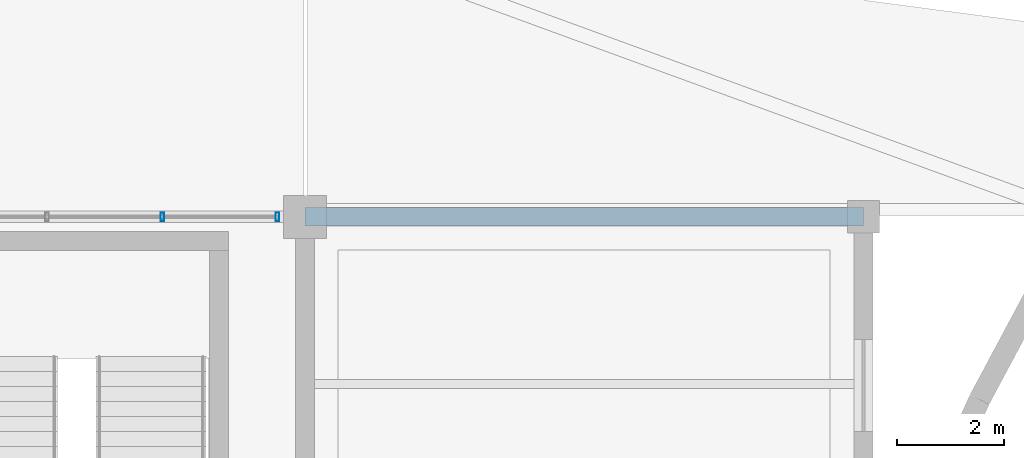
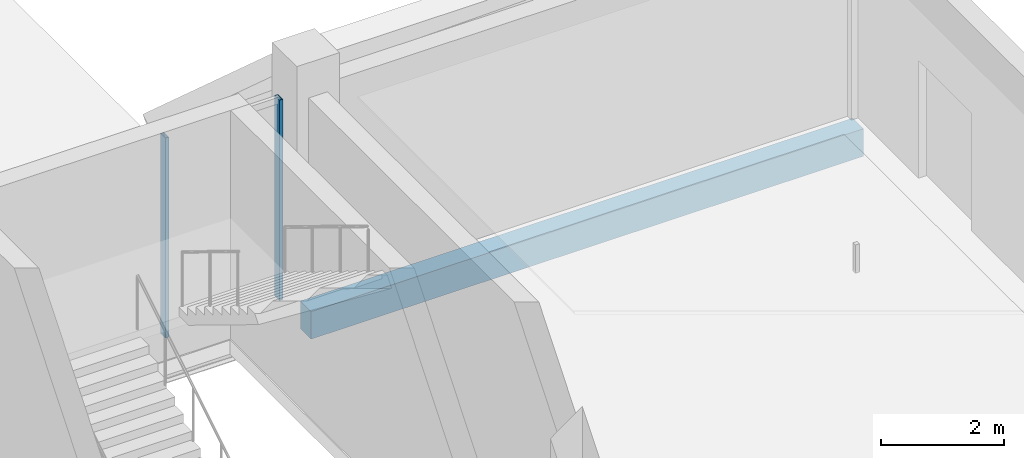
# One storey, part 63 of 116: 2 members, 1 beam, 1 element without a shape of its own.
"""IFC4 building model written with IfcOpenShell, lengths in metres."""

from ifc_helpers import new_model, si_unit, direction, frame, origin, origin_2d, place, context, subcontext, project, spatial, rectangle, hollow_rectangle, extrude, material, layer, layer_set, material_profile, profile_set, type_object, element, aggregate, save


model = new_model("IFC4")

# Units and contexts
model_context = context("Model", 3, precision=1e-05, world=origin(), true_north=direction((0.0, 1.0)))
body_context = subcontext(model_context, "Body", "Model", "MODEL_VIEW")
ifc_project = project(units=[si_unit("LENGTHUNIT", "METRE"), si_unit("AREAUNIT", "SQUARE_METRE"), si_unit("VOLUMEUNIT", "CUBIC_METRE"), si_unit("PLANEANGLEUNIT", "RADIAN"), si_unit("MASSUNIT", "GRAM", prefix="KILO")], contexts=[model_context])

# Site, building, storey
site_placement = place(None, origin())
site = spatial("IfcSite", under=ifc_project, at=site_placement, CompositionType="ELEMENT")
building_placement = place(site_placement, origin())
building = spatial("IfcBuilding", under=site, at=building_placement, Name="Chalmorin Arch Market", CompositionType="ELEMENT")
storey_placement = place(building_placement, origin())
storey = spatial("IfcBuildingStorey", under=building, at=storey_placement, Name="L00", CompositionType="ELEMENT", Elevation=0.0)

# Curtain wall, members
ifc_material_1 = material(Name="Aluminium 6063-T6", Category="aluminium")
ifc_layer = layer(ifc_material_1, 0.159912109375)
ifc_layer_set = layer_set([ifc_layer], Name="Aluminium 6063-T6")
curtain_wall_type = type_object("IfcCurtainWallType", Name="RiverfrontStorefrontCurtainWall-CW2-8580x3990", PredefinedType="NOTDEFINED", material=ifc_layer_set)
curtain_wall_placement = place(storey_placement, origin())
curtain_wall = element("IfcCurtainWall", 1, at=curtain_wall_placement, inside=storey, type_object=curtain_wall_type, Name="CW-02-023", PredefinedType="NOTDEFINED")
ifc_material_profile_1 = material_profile(ifc_material_1, hollow_rectangle(XDim=0.06494140625, YDim=0.159912109375, WallThickness=0.00390625, at=origin_2d()), Name="ALU65X160X4")
ifc_profile_set_1 = profile_set([ifc_material_profile_1], Name="Aluminium 6063-T6")
member_type = type_object("IfcMemberType", Name="CurtainWallMullion-65x160", PredefinedType="MULLION", material=ifc_profile_set_1)
member_1_placement = place(storey_placement, frame((122.14501953125, 58.800048828125, 0.0), z_axis=(0.0, 0.0, 1.0), x_axis=(1.0, 0.0, 0.0)))
member_1 = element("IfcMember", 2, at=member_1_placement, type_object=member_type, Name="ML-023-04", PredefinedType="MULLION", context=body_context, shape_type="SweptSolid", body=[
    extrude(hollow_rectangle(XDim=0.06494140625, YDim=0.159912109375, WallThickness=0.00390625, at=origin_2d()), origin(), (0.0, 0.0, 1.0), 3.986083984375),
])
member_2_placement = place(storey_placement, frame((124.2900390625, 58.800048828125, 0.0), z_axis=(0.0, 0.0, 1.0), x_axis=(1.0, 0.0, 0.0)))
member_2 = element("IfcMember", 3, at=member_2_placement, type_object=member_type, Name="ML-023-05", PredefinedType="MULLION", context=body_context, shape_type="SweptSolid", body=[
    extrude(hollow_rectangle(XDim=0.06494140625, YDim=0.159912109375, WallThickness=0.00390625, at=origin_2d()), origin(), (0.0, 0.0, 1.0), 3.986083984375),
])
aggregate(curtain_wall, [member_1, member_2])

# Beam
ifc_material_2 = material(Name="Concrete C40/50", Category="concrete")
ifc_material_profile_2 = material_profile(ifc_material_2, rectangle(XDim=0.35009765625, YDim=0.550048828125, at=origin_2d()), Name="RC350X550")
ifc_profile_set_2 = profile_set([ifc_material_profile_2], Name="Concrete C40/50")
beam_type = type_object("IfcBeamType", Name="TerraceEdgeBeam-350x550", PredefinedType="SPANDREL", material=ifc_profile_set_2)
beam_placement = place(storey_placement, frame((124.800048828125, 58.800048828125, -0.626953125), z_axis=(1.0, 0.0, 0.0), x_axis=(0.0, 1.0, 0.0)))
element("IfcBeam", 4, at=beam_placement, inside=storey, type_object=beam_type, Name="SP-RC1-0532", PredefinedType="SPANDREL", context=body_context, shape_type="SweptSolid", body=[
    extrude(rectangle(XDim=0.35009765625, YDim=0.550048828125, at=origin_2d()), origin(), (0.0, 0.0, 1.0), 10.39990234375),
])

save(model, "model.ifc")
